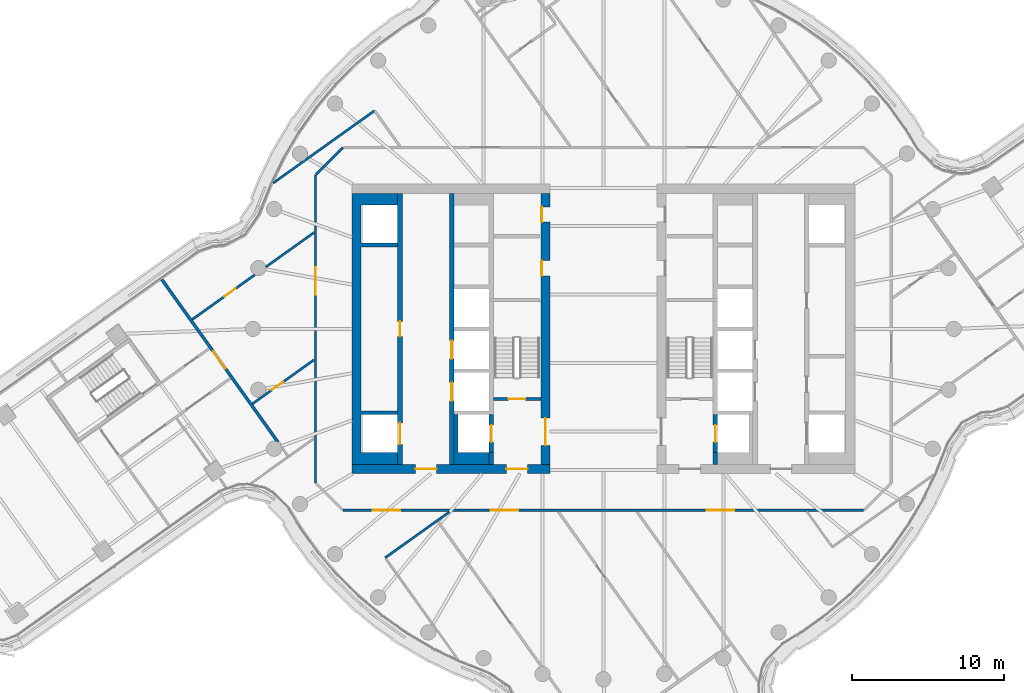
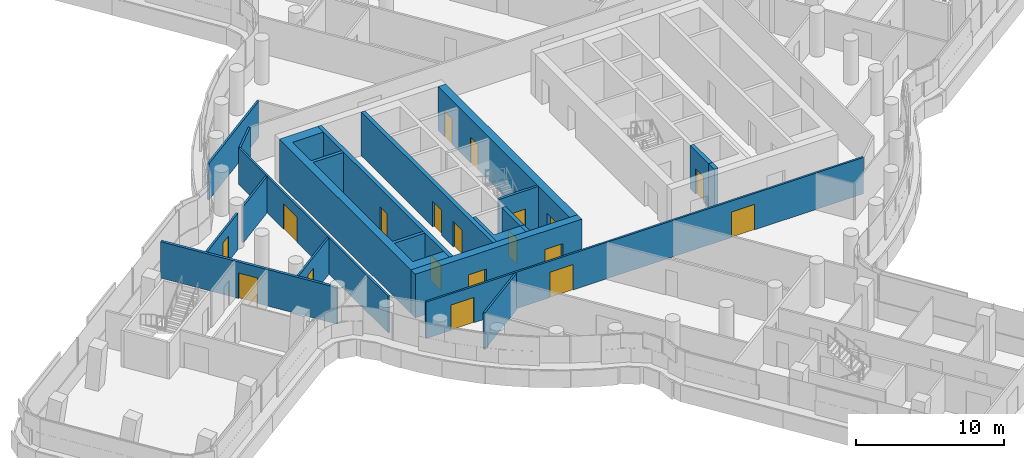
# One storey, part 20 of 31: 20 walls, 19 doors, 19 openings.
"""IFC4 building model written with IfcOpenShell, lengths in metres."""

from ifc_helpers import new_model, si_unit, direction, frame, frame_2d, origin, place, context, subcontext, project, spatial, polyline, rectangle, outline, extrude, material, layer, layer_set, type_object, element, fill, save


model = new_model("IFC4")

# Units and contexts
model_context = context("Model", 3, precision=1e-05, world=origin(), true_north=direction((0.0, 1.0)))
body_context = subcontext(model_context, "Body", "Model", "MODEL_VIEW")
ifc_project = project(units=[si_unit("LENGTHUNIT", "METRE"), si_unit("AREAUNIT", "SQUARE_METRE"), si_unit("VOLUMEUNIT", "CUBIC_METRE"), si_unit("PLANEANGLEUNIT", "RADIAN"), si_unit("MASSUNIT", "GRAM", prefix="KILO")], contexts=[model_context])

# Site, building, storey
site_placement = place(None, origin())
site = spatial("IfcSite", under=ifc_project, at=site_placement, CompositionType="ELEMENT")
building_placement = place(site_placement, origin())
building = spatial("IfcBuilding", under=site, at=building_placement, Name="Tamarind Cross Interchange Tower", CompositionType="ELEMENT")
storey_placement = place(building_placement, frame((0.0, 0.0, 163.0)))
storey = spatial("IfcBuildingStorey", under=building, at=storey_placement, Name="L40", CompositionType="ELEMENT", Elevation=163.0)

# Wall, openings, doors
ifc_material_1 = material(Name="Concrete C60", Category="concrete")
ifc_layer_1 = layer(ifc_material_1, 0.60009765625)
ifc_layer_set_1 = layer_set([ifc_layer_1], Name="Concrete C60")
wall_type_1 = type_object("IfcWallType", Name="Core wall 600 mm Concrete C60", PredefinedType="SHEAR", material=ifc_layer_set_1)
wall_1_placement = place(storey_placement, frame((-16.5, -9.199951171875, 0.0), z_axis=(0.0, 0.0, 1.0), x_axis=(1.0, 0.0, 0.0)))
wall_1 = element("IfcWall", 1, at=wall_1_placement, inside=storey, type_object=wall_type_1, Name="Core wall CWL-L40-W-S", PredefinedType="SHEAR", context=body_context, shape_type="SweptSolid", body=[
    extrude(rectangle(XDim=13.0, YDim=0.60009765625, at=frame_2d((6.5, 0.0))), origin(), (0.0, 0.0, 1.0), 3.610107421875),
])
opening_1_placement = place(wall_1_placement, frame((4.14990234375, 0.0, 0.0)))
opening_1 = element("IfcOpeningElement", 2, at=opening_1_placement, cuts=wall_1, Name="Opening DCW1", PredefinedType="OPENING", context=body_context, shape_type="SweptSolid", body=[
    extrude(rectangle(XDim=1.39990234375, YDim=2.10009765625, at=frame_2d((0.699951171875, 1.050048828125))), frame((0.0, 0.31005859375, 0.0), z_axis=(0.0, -1.0, 0.0), x_axis=(1.0, 0.0, 0.0)), (0.0, 0.0, 1.0), 0.6201171875),
])
opening_2_placement = place(wall_1_placement, frame((10.125, 0.0, 0.0)))
opening_2 = element("IfcOpeningElement", 3, at=opening_2_placement, cuts=wall_1, Name="Opening DCWF", PredefinedType="OPENING", context=body_context, shape_type="SweptSolid", body=[
    extrude(rectangle(XDim=1.39990234375, YDim=2.10009765625, at=frame_2d((0.699951171875, 1.050048828125))), frame((0.0, 0.31005859375, 0.0), z_axis=(0.0, -1.0, 0.0), x_axis=(1.0, 0.0, 0.0)), (0.0, 0.0, 1.0), 0.6201171875),
])
ifc_material_2 = material(Name="Steel, fire-resisting", Category="steel")
door_type_1 = type_object("IfcDoorType", Name="Core fire door 1400 x 2100 FD90", OperationType="SINGLE_SWING_LEFT", PredefinedType="DOOR", material=ifc_material_2)
door_1_placement = place(opening_1_placement, origin())
door_1 = element("IfcDoor", 4, at=door_1_placement, inside=storey, type_object=door_type_1, Name="L40 lift lobby door", OperationType="SINGLE_SWING_LEFT", OverallHeight=2.10009765625, OverallWidth=1.39990234375, PredefinedType="DOOR", context=body_context, shape_type="SweptSolid", body=[
    extrude(rectangle(XDim=1.39990234375, YDim=2.10009765625, at=frame_2d((0.699951171875, 1.050048828125))), frame((0.0, 0.02490234375, 0.0), z_axis=(0.0, -1.0, 0.0), x_axis=(1.0, 0.0, 0.0)), (0.0, 0.0, 1.0), 0.050048828125),
])
fill(opening_1, door_1)
door_2_placement = place(opening_2_placement, origin())
door_2 = element("IfcDoor", 5, at=door_2_placement, inside=storey, type_object=door_type_1, Name="L40 firefighting lobby end door", OperationType="SINGLE_SWING_LEFT", OverallHeight=2.10009765625, OverallWidth=1.39990234375, PredefinedType="DOOR", context=body_context, shape_type="SweptSolid", body=[
    extrude(rectangle(XDim=1.39990234375, YDim=2.10009765625, at=frame_2d((0.699951171875, 1.050048828125))), frame((0.0, 0.02490234375, 0.0), z_axis=(0.0, -1.0, 0.0), x_axis=(1.0, 0.0, 0.0)), (0.0, 0.0, 1.0), 0.050048828125),
])
fill(opening_2, door_2)

# Wall
wall_2_placement = place(storey_placement, origin())
element("IfcWall", 6, at=wall_2_placement, inside=storey, type_object=wall_type_1, Name="Core wall CWL-L40-W-A", PredefinedType="SHEAR", context=body_context, shape_type="SweptSolid", body=[
    extrude(outline(polyline([(-13.5, -8.125), (-15.89990234375, -8.125), (-15.89990234375, -5.625), (-13.5, -5.625), (-13.5, -5.375), (-15.89990234375, -5.375), (-15.89990234375, 5.375), (-13.5, 5.375), (-13.5, 5.625), (-15.89990234375, 5.625), (-15.89990234375, 8.125), (-13.5, 8.125), (-13.5, 8.89990234375), (-15.89990234375, 8.89990234375), (-16.5, 8.89990234375), (-16.5, -8.89990234375), (-15.89990234375, -8.89990234375), (-13.5, -8.89990234375), (-13.5, -8.125)])), origin(), (0.0, 0.0, 1.0), 3.610107421875),
])

# Wall, openings, doors
wall_3_placement = place(storey_placement, frame((-3.800048828125, -8.89990234375, 0.0), z_axis=(0.0, 0.0, 1.0), x_axis=(0.0, 1.0, 0.0)))
wall_3 = element("IfcWall", 7, at=wall_3_placement, inside=storey, type_object=wall_type_1, Name="Core wall CWL-L40-W-IN", PredefinedType="SHEAR", context=body_context, shape_type="SweptSolid", body=[
    extrude(rectangle(XDim=17.7998046875, YDim=0.60009765625, at=frame_2d((8.89990234375, 0.0))), origin(), (0.0, 0.0, 1.0), 3.610107421875),
])
opening_3_placement = place(wall_3_placement, frame((1.25, 0.0, 0.0)))
opening_3 = element("IfcOpeningElement", 8, at=opening_3_placement, cuts=wall_3, Name="Opening DCW4", PredefinedType="OPENING", context=body_context, shape_type="SweptSolid", body=[
    extrude(rectangle(XDim=1.800048828125, YDim=2.10009765625, at=frame_2d((0.89990234375, 1.050048828125))), frame((0.0, 0.31005859375, 0.0), z_axis=(0.0, -1.0, 0.0), x_axis=(1.0, 0.0, 0.0)), (0.0, 0.0, 1.0), 0.6201171875),
])
opening_4_placement = place(wall_3_placement, frame((12.37744140625, 0.0, 0.0)))
opening_4 = element("IfcOpeningElement", 9, at=opening_4_placement, cuts=wall_3, Name="Opening DCW5", PredefinedType="OPENING", context=body_context, shape_type="SweptSolid", body=[
    extrude(rectangle(XDim=1.0, YDim=2.10009765625, at=frame_2d((0.5, 1.050048828125))), frame((0.0, 0.31005859375, 0.0), z_axis=(0.0, -1.0, 0.0), x_axis=(1.0, 0.0, 0.0)), (0.0, 0.0, 1.0), 0.6201171875),
])
opening_5_placement = place(wall_3_placement, frame((15.902587890625, 0.0, 0.0)))
opening_5 = element("IfcOpeningElement", 10, at=opening_5_placement, cuts=wall_3, Name="Opening DCW5", PredefinedType="OPENING", context=body_context, shape_type="SweptSolid", body=[
    extrude(rectangle(XDim=1.0, YDim=2.10009765625, at=frame_2d((0.5, 1.050048828125))), frame((0.0, 0.31005859375, 0.0), z_axis=(0.0, -1.0, 0.0), x_axis=(1.0, 0.0, 0.0)), (0.0, 0.0, 1.0), 0.6201171875),
])
door_type_2 = type_object("IfcDoorType", Name="Core fire door 1000 x 2100 FD90", OperationType="SINGLE_SWING_LEFT", PredefinedType="DOOR", material=ifc_material_2)
door_3_placement = place(opening_4_placement, origin())
door_3 = element("IfcDoor", 11, at=door_3_placement, inside=storey, type_object=door_type_2, Name="L40 cleaner's store door", OperationType="SINGLE_SWING_LEFT", OverallHeight=2.10009765625, OverallWidth=1.0, PredefinedType="DOOR", context=body_context, shape_type="SweptSolid", body=[
    extrude(rectangle(XDim=1.0, YDim=2.10009765625, at=frame_2d((0.5, 1.050048828125))), frame((0.0, 0.27490234375, 0.0), z_axis=(0.0, -1.0, 0.0), x_axis=(1.0, 0.0, 0.0)), (0.0, 0.0, 1.0), 0.050048828125),
])
fill(opening_4, door_3)
door_4_placement = place(opening_5_placement, origin())
door_4 = element("IfcDoor", 12, at=door_4_placement, inside=storey, type_object=door_type_2, Name="L40 comms room door", OperationType="SINGLE_SWING_LEFT", OverallHeight=2.10009765625, OverallWidth=1.0, PredefinedType="DOOR", context=body_context, shape_type="SweptSolid", body=[
    extrude(rectangle(XDim=1.0, YDim=2.10009765625, at=frame_2d((0.5, 1.050048828125))), frame((0.0, 0.27490234375, 0.0), z_axis=(0.0, -1.0, 0.0), x_axis=(1.0, 0.0, 0.0)), (0.0, 0.0, 1.0), 0.050048828125),
])
fill(opening_5, door_4)
door_type_3 = type_object("IfcDoorType", Name="Core fire door 1800 x 2100 FD90", OperationType="SINGLE_SWING_LEFT", PredefinedType="DOOR", material=ifc_material_2)
door_5_placement = place(opening_3_placement, origin())
door_5 = element("IfcDoor", 13, at=door_5_placement, inside=storey, type_object=door_type_3, Name="L40 firefighting lobby door", OperationType="SINGLE_SWING_LEFT", OverallHeight=2.10009765625, OverallWidth=1.800048828125, PredefinedType="DOOR", context=body_context, shape_type="SweptSolid", body=[
    extrude(rectangle(XDim=1.800048828125, YDim=2.10009765625, at=frame_2d((0.89990234375, 1.050048828125))), frame((0.0, 0.02490234375, 0.0), z_axis=(0.0, -1.0, 0.0), x_axis=(1.0, 0.0, 0.0)), (0.0, 0.0, 1.0), 0.050048828125),
])
fill(opening_3, door_5)

# Walls
ifc_layer_2 = layer(ifc_material_1, 0.300048828125)
ifc_layer_set_2 = layer_set([ifc_layer_2], Name="Concrete C60")
wall_type_2 = type_object("IfcWallType", Name="Core web wall 300 mm Concrete C60", PredefinedType="SHEAR", material=ifc_layer_set_2)
wall_4_placement = place(storey_placement, origin())
element("IfcWall", 14, at=wall_4_placement, inside=storey, type_object=wall_type_2, Name="Core wall CWL-L40-W-BS", PredefinedType="SHEAR", context=body_context, shape_type="SweptSolid", body=[
    extrude(outline(polyline([(-7.5, -8.125), (-9.550048828125, -8.125), (-9.550048828125, -5.625), (-9.800048828125, -5.625), (-9.800048828125, -8.125), (-9.800048828125, -8.89990234375), (-7.5, -8.89990234375), (-7.5, -8.125)])), origin(), (0.0, 0.0, 1.0), 3.610107421875),
])
wall_5_placement = place(storey_placement, frame((-7.35009765625, -8.89990234375, 0.0), z_axis=(0.0, 0.0, 1.0), x_axis=(0.0, 1.0, 0.0)))
element("IfcWall", 15, at=wall_5_placement, inside=storey, type_object=wall_type_2, Name="Core wall CWL-L40-W-BW", PredefinedType="SHEAR", context=body_context, shape_type="SweptSolid", body=[
    extrude(rectangle(XDim=0.77490234375, YDim=0.300048828125, at=frame_2d((0.387451171875, 0.0))), origin(), (0.0, 0.0, 1.0), 3.610107421875),
])

# Wall, openings, doors
wall_6_placement = place(storey_placement, frame((-13.35009765625, -8.89990234375, 0.0), z_axis=(0.0, 0.0, 1.0), x_axis=(0.0, 1.0, 0.0)))
wall_6 = element("IfcWall", 16, at=wall_6_placement, inside=storey, type_object=wall_type_2, Name="Core wall CWL-L40-W-LA", PredefinedType="SHEAR", context=body_context, shape_type="SweptSolid", body=[
    extrude(rectangle(XDim=17.7998046875, YDim=0.300048828125, at=frame_2d((8.89990234375, 0.0))), origin(), (0.0, 0.0, 1.0), 3.610107421875),
])
opening_6_placement = place(wall_6_placement, frame((1.324951171875, 0.0, 0.0)))
opening_6 = element("IfcOpeningElement", 17, at=opening_6_placement, cuts=wall_6, Name="Opening LD1L40", PredefinedType="OPENING", context=body_context, shape_type="SweptSolid", body=[
    extrude(rectangle(XDim=1.39990234375, YDim=2.10009765625, at=frame_2d((0.699951171875, 1.050048828125))), frame((0.0, 0.159912109375, 0.0), z_axis=(0.0, -1.0, 0.0), x_axis=(1.0, 0.0, 0.0)), (0.0, 0.0, 1.0), 0.320068359375),
])
opening_7_placement = place(wall_6_placement, frame((8.39990234375, 0.0, 0.0)))
opening_7 = element("IfcOpeningElement", 18, at=opening_7_placement, cuts=wall_6, Name="Opening DCW9", PredefinedType="OPENING", context=body_context, shape_type="SweptSolid", body=[
    extrude(rectangle(XDim=1.0, YDim=2.10009765625, at=frame_2d((0.5, 1.050048828125))), frame((0.0, 0.159912109375, 0.0), z_axis=(0.0, -1.0, 0.0), x_axis=(1.0, 0.0, 0.0)), (0.0, 0.0, 1.0), 0.320068359375),
])
door_6_placement = place(opening_7_placement, origin())
door_6 = element("IfcDoor", 19, at=door_6_placement, inside=storey, type_object=door_type_2, Name="L40 Electrical room door", OperationType="SINGLE_SWING_LEFT", OverallHeight=2.10009765625, OverallWidth=1.0, PredefinedType="DOOR", context=body_context, shape_type="SweptSolid", body=[
    extrude(rectangle(XDim=1.0, YDim=2.10009765625, at=frame_2d((0.5, 1.050048828125))), frame((0.0, 0.02490234375, 0.0), z_axis=(0.0, -1.0, 0.0), x_axis=(1.0, 0.0, 0.0)), (0.0, 0.0, 1.0), 0.050048828125),
])
fill(opening_7, door_6)
ifc_material_3 = material(Name="Stainless steel panel", Category="steel")
door_type_4 = type_object("IfcDoorType", Name="Lift landing door 1400 x 2100 E 120", OperationType="SLIDING_TO_LEFT", PredefinedType="DOOR", material=ifc_material_3)
door_7_placement = place(opening_6_placement, origin())
door_7 = element("IfcDoor", 20, at=door_7_placement, inside=storey, type_object=door_type_4, Name="L40 landing door LF1", OperationType="SLIDING_TO_LEFT", OverallHeight=2.10009765625, OverallWidth=1.39990234375, PredefinedType="DOOR", context=body_context, shape_type="SweptSolid", body=[
    extrude(rectangle(XDim=1.39990234375, YDim=2.10009765625, at=frame_2d((0.699951171875, 1.050048828125))), frame((0.0, 0.02490234375, 0.0), z_axis=(0.0, -1.0, 0.0), x_axis=(1.0, 0.0, 0.0)), (0.0, 0.0, 1.0), 0.050048828125),
])
fill(opening_6, door_7)

wall_7_placement = place(storey_placement, frame((-9.949951171875, -8.89990234375, 0.0), z_axis=(0.0, 0.0, 1.0), x_axis=(0.0, 1.0, 0.0)))
wall_7 = element("IfcWall", 21, at=wall_7_placement, inside=storey, type_object=wall_type_2, Name="Core wall CWL-L40-W-LB", PredefinedType="SHEAR", context=body_context, shape_type="SweptSolid", body=[
    extrude(rectangle(XDim=17.7998046875, YDim=0.300048828125, at=frame_2d((8.89990234375, 0.0))), origin(), (0.0, 0.0, 1.0), 3.610107421875),
])
opening_8_placement = place(wall_7_placement, frame((4.175048828125, 0.0, 0.0)))
opening_8 = element("IfcOpeningElement", 22, at=opening_8_placement, cuts=wall_7, Name="Opening LD8L40", PredefinedType="OPENING", context=body_context, shape_type="SweptSolid", body=[
    extrude(rectangle(XDim=1.199951171875, YDim=2.10009765625, at=frame_2d((0.60009765625, 1.050048828125))), frame((0.0, 0.159912109375, 0.0), z_axis=(0.0, -1.0, 0.0), x_axis=(1.0, 0.0, 0.0)), (0.0, 0.0, 1.0), 0.320068359375),
])
opening_9_placement = place(wall_7_placement, frame((6.925048828125, 0.0, 0.0)))
opening_9 = element("IfcOpeningElement", 23, at=opening_9_placement, cuts=wall_7, Name="Opening LD9L40", PredefinedType="OPENING", context=body_context, shape_type="SweptSolid", body=[
    extrude(rectangle(XDim=1.199951171875, YDim=2.10009765625, at=frame_2d((0.60009765625, 1.050048828125))), frame((0.0, 0.159912109375, 0.0), z_axis=(0.0, -1.0, 0.0), x_axis=(1.0, 0.0, 0.0)), (0.0, 0.0, 1.0), 0.320068359375),
])
door_type_5 = type_object("IfcDoorType", Name="Lift landing door 1200 x 2100 E 120", OperationType="SLIDING_TO_LEFT", PredefinedType="DOOR", material=ifc_material_3)
door_8_placement = place(opening_8_placement, origin())
door_8 = element("IfcDoor", 24, at=door_8_placement, inside=storey, type_object=door_type_5, Name="L40 landing door LF8", OperationType="SLIDING_TO_LEFT", OverallHeight=2.10009765625, OverallWidth=1.199951171875, PredefinedType="DOOR", context=body_context, shape_type="SweptSolid", body=[
    extrude(rectangle(XDim=1.199951171875, YDim=2.10009765625, at=frame_2d((0.60009765625, 1.050048828125))), frame((0.0, 0.02490234375, 0.0), z_axis=(0.0, -1.0, 0.0), x_axis=(1.0, 0.0, 0.0)), (0.0, 0.0, 1.0), 0.050048828125),
])
fill(opening_8, door_8)
door_9_placement = place(opening_9_placement, origin())
door_9 = element("IfcDoor", 25, at=door_9_placement, inside=storey, type_object=door_type_5, Name="L40 landing door LF9", OperationType="SLIDING_TO_LEFT", OverallHeight=2.10009765625, OverallWidth=1.199951171875, PredefinedType="DOOR", context=body_context, shape_type="SweptSolid", body=[
    extrude(rectangle(XDim=1.199951171875, YDim=2.10009765625, at=frame_2d((0.60009765625, 1.050048828125))), frame((0.0, 0.02490234375, 0.0), z_axis=(0.0, -1.0, 0.0), x_axis=(1.0, 0.0, 0.0)), (0.0, 0.0, 1.0), 0.050048828125),
])
fill(opening_9, door_9)

# Wall, opening, door
wall_8_placement = place(storey_placement, frame((-7.35009765625, -8.125, 0.0), z_axis=(0.0, 0.0, 1.0), x_axis=(0.0, 1.0, 0.0)))
wall_8 = element("IfcWall", 26, at=wall_8_placement, inside=storey, type_object=wall_type_2, Name="Core wall CWL-L40-W-FF", PredefinedType="SHEAR", context=body_context, shape_type="SweptSolid", body=[
    extrude(rectangle(XDim=2.5, YDim=0.300048828125, at=frame_2d((1.25, 0.0))), origin(), (0.0, 0.0, 1.0), 3.610107421875),
])
opening_10_placement = place(wall_8_placement, frame((0.699951171875, 0.0, 0.0)))
opening_10 = element("IfcOpeningElement", 27, at=opening_10_placement, cuts=wall_8, Name="Opening LD7L40", PredefinedType="OPENING", context=body_context, shape_type="SweptSolid", body=[
    extrude(rectangle(XDim=1.10009765625, YDim=2.10009765625, at=frame_2d((0.550048828125, 1.050048828125))), frame((0.0, 0.159912109375, 0.0), z_axis=(0.0, -1.0, 0.0), x_axis=(1.0, 0.0, 0.0)), (0.0, 0.0, 1.0), 0.320068359375),
])
door_type_6 = type_object("IfcDoorType", Name="Lift landing door 1100 x 2100 E 120", OperationType="SLIDING_TO_LEFT", PredefinedType="DOOR", material=ifc_material_3)
door_10_placement = place(opening_10_placement, origin())
door_10 = element("IfcDoor", 28, at=door_10_placement, inside=storey, type_object=door_type_6, Name="L40 landing door LF7", OperationType="SLIDING_TO_LEFT", OverallHeight=2.10009765625, OverallWidth=1.10009765625, PredefinedType="DOOR", context=body_context, shape_type="SweptSolid", body=[
    extrude(rectangle(XDim=1.10009765625, YDim=2.10009765625, at=frame_2d((0.550048828125, 1.050048828125))), frame((0.0, 0.02490234375, 0.0), z_axis=(0.0, -1.0, 0.0), x_axis=(1.0, 0.0, 0.0)), (0.0, 0.0, 1.0), 0.050048828125),
])
fill(opening_10, door_10)

# Wall
wall_9_placement = place(storey_placement, frame((7.35009765625, -8.89990234375, 0.0), z_axis=(0.0, 0.0, 1.0), x_axis=(0.0, 1.0, 0.0)))
element("IfcWall", 29, at=wall_9_placement, inside=storey, type_object=wall_type_2, Name="Core wall CWL-L40-E-BW", PredefinedType="SHEAR", context=body_context, shape_type="SweptSolid", body=[
    extrude(rectangle(XDim=0.77490234375, YDim=0.300048828125, at=frame_2d((0.387451171875, 0.0))), origin(), (0.0, 0.0, 1.0), 3.610107421875),
])

# Wall, opening, door
wall_10_placement = place(storey_placement, frame((7.35009765625, -8.125, 0.0), z_axis=(0.0, 0.0, 1.0), x_axis=(0.0, 1.0, 0.0)))
wall_10 = element("IfcWall", 30, at=wall_10_placement, inside=storey, type_object=wall_type_2, Name="Core wall CWL-L40-E-FF", PredefinedType="SHEAR", context=body_context, shape_type="SweptSolid", body=[
    extrude(rectangle(XDim=2.5, YDim=0.300048828125, at=frame_2d((1.25, 0.0))), origin(), (0.0, 0.0, 1.0), 3.610107421875),
])
opening_11_placement = place(wall_10_placement, frame((0.699951171875, 0.0, 0.0)))
opening_11 = element("IfcOpeningElement", 31, at=opening_11_placement, cuts=wall_10, Name="Opening LD19L40", PredefinedType="OPENING", context=body_context, shape_type="SweptSolid", body=[
    extrude(rectangle(XDim=1.10009765625, YDim=2.10009765625, at=frame_2d((0.550048828125, 1.050048828125))), frame((0.0, 0.159912109375, 0.0), z_axis=(0.0, -1.0, 0.0), x_axis=(1.0, 0.0, 0.0)), (0.0, 0.0, 1.0), 0.320068359375),
])
door_11_placement = place(opening_11_placement, origin())
door_11 = element("IfcDoor", 32, at=door_11_placement, inside=storey, type_object=door_type_6, Name="L40 landing door LF19", OperationType="SLIDING_TO_LEFT", OverallHeight=2.10009765625, OverallWidth=1.10009765625, PredefinedType="DOOR", context=body_context, shape_type="SweptSolid", body=[
    extrude(rectangle(XDim=1.10009765625, YDim=2.10009765625, at=frame_2d((0.550048828125, 1.050048828125))), frame((0.0, 0.02490234375, 0.0), z_axis=(0.0, -1.0, 0.0), x_axis=(1.0, 0.0, 0.0)), (0.0, 0.0, 1.0), 0.050048828125),
])
fill(opening_11, door_11)

# Wall, openings, doors
ifc_material_4 = material(Name="Gypsum board partition on steel studs", Category="steel")
ifc_layer_3 = layer(ifc_material_4, 0.14990234375)
ifc_layer_set_3 = layer_set([ifc_layer_3], Name="Gypsum board partition on steel studs")
wall_type_3 = type_object("IfcWallType", Name="Partition 150 mm EI 120", PredefinedType="PARTITIONING", material=ifc_layer_set_3)
wall_11_placement = place(storey_placement, frame((-17.10009765625, -11.89990234375, 0.0), z_axis=(0.0, 0.0, 1.0), x_axis=(1.0, 0.0, 0.0)))
wall_11 = element("IfcWall", 33, at=wall_11_placement, inside=storey, type_object=wall_type_3, Name="Partition L40-036", PredefinedType="PARTITIONING", context=body_context, shape_type="SweptSolid", body=[
    extrude(rectangle(XDim=34.1650390625, YDim=0.14990234375, at=frame_2d((17.08251953125, 0.0))), origin(), (0.0, 0.0, 1.0), 3.010009765625),
])
opening_12_placement = place(wall_11_placement, frame((9.702880859375, 0.0, 0.0)))
opening_12 = element("IfcOpeningElement", 34, at=opening_12_placement, cuts=wall_11, Name="Opening D20", PredefinedType="OPENING", context=body_context, shape_type="SweptSolid", body=[
    extrude(rectangle(XDim=1.800048828125, YDim=2.10009765625, at=frame_2d((0.89990234375, 1.050048828125))), frame((0.0, 0.0849609375, 0.0), z_axis=(0.0, -1.0, 0.0), x_axis=(1.0, 0.0, 0.0)), (0.0, 0.0, 1.0), 0.169921875),
])
opening_13_placement = place(wall_11_placement, frame((1.949951171875, 0.0, 0.0)))
opening_13 = element("IfcOpeningElement", 35, at=opening_13_placement, cuts=wall_11, Name="Opening D21", PredefinedType="OPENING", context=body_context, shape_type="SweptSolid", body=[
    extrude(rectangle(XDim=1.800048828125, YDim=2.10009765625, at=frame_2d((0.89990234375, 1.050048828125))), frame((0.0, 0.0849609375, 0.0), z_axis=(0.0, -1.0, 0.0), x_axis=(1.0, 0.0, 0.0)), (0.0, 0.0, 1.0), 0.169921875),
])
opening_14_placement = place(wall_11_placement, frame((23.8779296875, 0.0, 0.0)))
opening_14 = element("IfcOpeningElement", 36, at=opening_14_placement, cuts=wall_11, Name="Opening D22", PredefinedType="OPENING", context=body_context, shape_type="SweptSolid", body=[
    extrude(rectangle(XDim=1.800048828125, YDim=2.10009765625, at=frame_2d((0.89990234375, 1.050048828125))), frame((0.0, 0.0849609375, 0.0), z_axis=(0.0, -1.0, 0.0), x_axis=(1.0, 0.0, 0.0)), (0.0, 0.0, 1.0), 0.169921875),
])
ifc_material_5 = material(Name="Fire-resisting door set")
door_type_7 = type_object("IfcDoorType", Name="Interior door 1800 x 2100 FD60S", OperationType="DOUBLE_DOOR_SINGLE_SWING", PredefinedType="DOOR", material=ifc_material_5)
door_12_placement = place(opening_12_placement, origin())
door_12 = element("IfcDoor", 37, at=door_12_placement, inside=storey, type_object=door_type_7, Name="Door D20", OperationType="DOUBLE_DOOR_SINGLE_SWING", OverallHeight=2.10009765625, OverallWidth=1.800048828125, PredefinedType="DOOR", context=body_context, shape_type="SweptSolid", body=[
    extrude(rectangle(XDim=1.800048828125, YDim=2.10009765625, at=frame_2d((0.89990234375, 1.050048828125))), frame((0.0, 0.02490234375, 0.0), z_axis=(0.0, -1.0, 0.0), x_axis=(1.0, 0.0, 0.0)), (0.0, 0.0, 1.0), 0.050048828125),
])
fill(opening_12, door_12)
door_13_placement = place(opening_13_placement, frame((1.800048828125, 0.0, 0.0), z_axis=(0.0, 0.0, 1.0), x_axis=(-1.0, 0.0, 0.0)))
door_13 = element("IfcDoor", 38, at=door_13_placement, inside=storey, type_object=door_type_7, Name="Door D21", OperationType="DOUBLE_DOOR_SINGLE_SWING", OverallHeight=2.10009765625, OverallWidth=1.800048828125, PredefinedType="DOOR", context=body_context, shape_type="SweptSolid", body=[
    extrude(rectangle(XDim=1.800048828125, YDim=2.10009765625, at=frame_2d((0.89990234375, 1.050048828125))), frame((0.0, 0.02490234375, 0.0), z_axis=(0.0, -1.0, 0.0), x_axis=(1.0, 0.0, 0.0)), (0.0, 0.0, 1.0), 0.050048828125),
])
fill(opening_13, door_13)
door_14_placement = place(opening_14_placement, frame((1.800048828125, 0.0, 0.0), z_axis=(0.0, 0.0, 1.0), x_axis=(-1.0, 0.0, 0.0)))
door_14 = element("IfcDoor", 39, at=door_14_placement, inside=storey, type_object=door_type_7, Name="Door D22", OperationType="DOUBLE_DOOR_SINGLE_SWING", OverallHeight=2.10009765625, OverallWidth=1.800048828125, PredefinedType="DOOR", context=body_context, shape_type="SweptSolid", body=[
    extrude(rectangle(XDim=1.800048828125, YDim=2.10009765625, at=frame_2d((0.89990234375, 1.050048828125))), frame((0.0, 0.02490234375, 0.0), z_axis=(0.0, -1.0, 0.0), x_axis=(1.0, 0.0, 0.0)), (0.0, 0.0, 1.0), 0.050048828125),
])
fill(opening_14, door_14)

# Wall
wall_12_placement = place(storey_placement, frame((-14.32177734375, -15.01953125, 0.0), z_axis=(0.0, 0.0, 1.0), x_axis=(0.81419877711, 0.580586213541, 0.0)))
element("IfcWall", 40, at=wall_12_placement, inside=storey, type_object=wall_type_3, Name="Partition L40-038", PredefinedType="PARTITIONING", context=body_context, shape_type="SweptSolid", body=[
    extrude(rectangle(XDim=5.173095703125, YDim=0.14990234375, at=frame_2d((2.58642578125, 0.0))), origin(), (0.0, 0.0, 1.0), 3.010009765625),
])

# Wall, opening, door
wall_13_placement = place(storey_placement, frame((-26.986572265625, 0.6171875, 0.0), z_axis=(0.0, 0.0, 1.0), x_axis=(0.81386107039, 0.581059513392, 0.0)))
wall_13 = element("IfcWall", 41, at=wall_13_placement, inside=storey, type_object=wall_type_3, Name="Partition L40-044", PredefinedType="PARTITIONING", context=body_context, shape_type="SweptSolid", body=[
    extrude(rectangle(XDim=5.041015625, YDim=0.14990234375, at=frame_2d((2.5205078125, 0.0))), origin(), (0.0, 0.0, 1.0), 3.010009765625),
])
opening_15_placement = place(wall_13_placement, frame((2.60009765625, 0.0, 0.0)))
opening_15 = element("IfcOpeningElement", 42, at=opening_15_placement, cuts=wall_13, Name="Opening D29", PredefinedType="OPENING", context=body_context, shape_type="SweptSolid", body=[
    extrude(rectangle(XDim=0.89990234375, YDim=2.10009765625, at=frame_2d((0.449951171875, 1.050048828125))), frame((0.0, 0.0849609375, 0.0), z_axis=(0.0, -1.0, 0.0), x_axis=(1.0, 0.0, 0.0)), (0.0, 0.0, 1.0), 0.169921875),
])
door_type_8 = type_object("IfcDoorType", Name="Interior door 900 x 2100 FD60S", OperationType="SINGLE_SWING_LEFT", PredefinedType="DOOR", material=ifc_material_5)
door_15_placement = place(opening_15_placement, origin())
door_15 = element("IfcDoor", 43, at=door_15_placement, inside=storey, type_object=door_type_8, Name="Door D29", OperationType="SINGLE_SWING_LEFT", OverallHeight=2.10009765625, OverallWidth=0.89990234375, PredefinedType="DOOR", context=body_context, shape_type="SweptSolid", body=[
    extrude(rectangle(XDim=0.89990234375, YDim=2.10009765625, at=frame_2d((0.449951171875, 1.050048828125))), frame((0.0, 0.02490234375, 0.0), z_axis=(0.0, -1.0, 0.0), x_axis=(1.0, 0.0, 0.0)), (0.0, 0.0, 1.0), 0.050048828125),
])
fill(opening_15, door_15)

# Wall
wall_14_placement = place(storey_placement, frame((-22.1591796875, 4.063720703125, 0.0), z_axis=(0.0, 0.0, 1.0), x_axis=(0.813818497272, 0.581119138816, 0.0)))
element("IfcWall", 44, at=wall_14_placement, inside=storey, type_object=wall_type_3, Name="Partition L40-045", PredefinedType="PARTITIONING", context=body_context, shape_type="SweptSolid", body=[
    extrude(rectangle(XDim=3.8798828125, YDim=0.14990234375, at=frame_2d((1.93994140625, 0.0))), origin(), (0.0, 0.0, 1.0), 3.010009765625),
])

# Wall, opening, door
wall_15_placement = place(storey_placement, frame((-23.03564453125, -4.9169921875, 0.0), z_axis=(0.0, 0.0, 1.0), x_axis=(0.813829971932, 0.581103068986, 0.0)))
wall_15 = element("IfcWall", 45, at=wall_15_placement, inside=storey, type_object=wall_type_3, Name="Partition L40-046", PredefinedType="PARTITIONING", context=body_context, shape_type="SweptSolid", body=[
    extrude(rectangle(XDim=4.956787109375, YDim=0.14990234375, at=frame_2d((2.478515625, 0.0))), origin(), (0.0, 0.0, 1.0), 3.010009765625),
])
opening_16_placement = place(wall_15_placement, frame((1.550048828125, 0.0, 0.0)))
opening_16 = element("IfcOpeningElement", 46, at=opening_16_placement, cuts=wall_15, Name="Opening D30", PredefinedType="OPENING", context=body_context, shape_type="SweptSolid", body=[
    extrude(rectangle(XDim=0.89990234375, YDim=2.10009765625, at=frame_2d((0.449951171875, 1.050048828125))), frame((0.0, 0.0849609375, 0.0), z_axis=(0.0, -1.0, 0.0), x_axis=(1.0, 0.0, 0.0)), (0.0, 0.0, 1.0), 0.169921875),
])
door_16_placement = place(opening_16_placement, frame((0.89990234375, 0.0, 0.0), z_axis=(0.0, 0.0, 1.0), x_axis=(-1.0, 0.0, 0.0)))
door_16 = element("IfcDoor", 47, at=door_16_placement, inside=storey, type_object=door_type_8, Name="Door D30", OperationType="SINGLE_SWING_LEFT", OverallHeight=2.10009765625, OverallWidth=0.89990234375, PredefinedType="DOOR", context=body_context, shape_type="SweptSolid", body=[
    extrude(rectangle(XDim=0.89990234375, YDim=2.10009765625, at=frame_2d((0.449951171875, 1.050048828125))), frame((0.0, 0.02490234375, 0.0), z_axis=(0.0, -1.0, 0.0), x_axis=(1.0, 0.0, 0.0)), (0.0, 0.0, 1.0), 0.050048828125),
])
fill(opening_16, door_16)

# Walls
wall_16_placement = place(storey_placement, frame((-21.667236328125, 9.575439453125, 0.0), z_axis=(0.0, 0.0, 1.0), x_axis=(0.813848610714, 0.581076964643, 0.0)))
element("IfcWall", 48, at=wall_16_placement, inside=storey, type_object=wall_type_3, Name="Partition L40-048", PredefinedType="PARTITIONING", context=body_context, shape_type="SweptSolid", body=[
    extrude(rectangle(XDim=8.165283203125, YDim=0.14990234375, at=frame_2d((4.08251953125, 0.0))), origin(), (0.0, 0.0, 1.0), 3.010009765625),
])
wall_17_placement = place(storey_placement, frame((-18.87158203125, 10.12841796875, 0.0), z_axis=(0.0, 0.0, 1.0), x_axis=(0.707106781187, 0.707106781187, 0.0)))
element("IfcWall", 49, at=wall_17_placement, inside=storey, type_object=wall_type_3, Name="Partition L40-075", PredefinedType="PARTITIONING", context=body_context, shape_type="SweptSolid", body=[
    extrude(rectangle(XDim=2.50537109375, YDim=0.14990234375, at=frame_2d((1.252685546875, 0.0))), origin(), (0.0, 0.0, 1.0), 3.010009765625),
])

# Wall, opening, door
wall_18_placement = place(storey_placement, frame((-18.89990234375, -10.10009765625, 0.0), z_axis=(0.0, 0.0, 1.0), x_axis=(0.0, 1.0, 0.0)))
wall_18 = element("IfcWall", 50, at=wall_18_placement, inside=storey, type_object=wall_type_3, Name="Partition L40-077", PredefinedType="PARTITIONING", context=body_context, shape_type="SweptSolid", body=[
    extrude(rectangle(XDim=20.2001953125, YDim=0.14990234375, at=frame_2d((10.10009765625, 0.0))), origin(), (0.0, 0.0, 1.0), 3.010009765625),
])
opening_17_placement = place(wall_18_placement, frame((12.3359375, 0.0, 0.0)))
opening_17 = element("IfcOpeningElement", 51, at=opening_17_placement, cuts=wall_18, Name="Opening D42", PredefinedType="OPENING", context=body_context, shape_type="SweptSolid", body=[
    extrude(rectangle(XDim=1.800048828125, YDim=2.10009765625, at=frame_2d((0.89990234375, 1.050048828125))), frame((0.0, 0.0849609375, 0.0), z_axis=(0.0, -1.0, 0.0), x_axis=(1.0, 0.0, 0.0)), (0.0, 0.0, 1.0), 0.169921875),
])
door_17_placement = place(opening_17_placement, frame((1.800048828125, 0.0, 0.0), z_axis=(0.0, 0.0, 1.0), x_axis=(-1.0, 0.0, 0.0)))
door_17 = element("IfcDoor", 52, at=door_17_placement, inside=storey, type_object=door_type_7, Name="Door D42", OperationType="DOUBLE_DOOR_SINGLE_SWING", OverallHeight=2.10009765625, OverallWidth=1.800048828125, PredefinedType="DOOR", context=body_context, shape_type="SweptSolid", body=[
    extrude(rectangle(XDim=1.800048828125, YDim=2.10009765625, at=frame_2d((0.89990234375, 1.050048828125))), frame((0.0, 0.02490234375, 0.0), z_axis=(0.0, -1.0, 0.0), x_axis=(1.0, 0.0, 0.0)), (0.0, 0.0, 1.0), 0.050048828125),
])
fill(opening_17, door_17)

ifc_layer_4 = layer(ifc_material_4, 0.199951171875)
ifc_layer_set_4 = layer_set([ifc_layer_4], Name="Gypsum board partition on steel studs")
wall_type_4 = type_object("IfcWallType", Name="Partition 200 mm EI 180", PredefinedType="PARTITIONING", material=ifc_layer_set_4)
wall_19_placement = place(storey_placement, frame((-28.9853515625, 3.244140625, 0.0), z_axis=(0.0, 0.0, 1.0), x_axis=(0.581102498489, -0.813830379287, 0.0)))
wall_19 = element("IfcWall", 53, at=wall_19_placement, inside=storey, type_object=wall_type_4, Name="Partition L40-003", PredefinedType="PARTITIONING", context=body_context, shape_type="SweptSolid", body=[
    extrude(rectangle(XDim=13.105712890625, YDim=0.199951171875, at=frame_2d((6.552734375, 0.0))), origin(), (0.0, 0.0, 1.0), 3.010009765625),
])
opening_18_placement = place(wall_19_placement, frame((5.798828125, 0.0, 0.0)))
opening_18 = element("IfcOpeningElement", 54, at=opening_18_placement, cuts=wall_19, Name="Opening D02", PredefinedType="OPENING", context=body_context, shape_type="SweptSolid", body=[
    extrude(rectangle(XDim=1.39990234375, YDim=2.10009765625, at=frame_2d((0.699951171875, 1.050048828125))), frame((0.0, 0.10986328125, 0.0), z_axis=(0.0, -1.0, 0.0), x_axis=(1.0, 0.0, 0.0)), (0.0, 0.0, 1.0), 0.219970703125),
])
door_type_9 = type_object("IfcDoorType", Name="Interior door 1400 x 2100 FD120S", OperationType="DOUBLE_DOOR_SINGLE_SWING", PredefinedType="DOOR", material=ifc_material_5)
door_18_placement = place(opening_18_placement, origin())
door_18 = element("IfcDoor", 55, at=door_18_placement, inside=storey, type_object=door_type_9, Name="Door D02", OperationType="DOUBLE_DOOR_SINGLE_SWING", OverallHeight=2.10009765625, OverallWidth=1.39990234375, PredefinedType="DOOR", context=body_context, shape_type="SweptSolid", body=[
    extrude(rectangle(XDim=1.39990234375, YDim=2.10009765625, at=frame_2d((0.699951171875, 1.050048828125))), frame((0.0, 0.02490234375, 0.0), z_axis=(0.0, -1.0, 0.0), x_axis=(1.0, 0.0, 0.0)), (0.0, 0.0, 1.0), 0.050048828125),
])
fill(opening_18, door_18)

ifc_material_6 = material(Name="Concrete C40", Category="concrete")
ifc_layer_5 = layer(ifc_material_6, 0.199951171875)
ifc_layer_set_5 = layer_set([ifc_layer_5], Name="Concrete C40")
wall_type_5 = type_object("IfcWallType", Name="Stair shaft wall 200 mm Concrete C40", PredefinedType="SHEAR", material=ifc_layer_set_5)
wall_20_placement = place(storey_placement, frame((-7.199951171875, -4.60009765625, 0.0), z_axis=(0.0, 0.0, 1.0), x_axis=(1.0, 0.0, 0.0)))
wall_20 = element("IfcWall", 56, at=wall_20_placement, inside=storey, type_object=wall_type_5, Name="Core wall CWL-L40-W-SD", PredefinedType="SHEAR", context=body_context, shape_type="SweptSolid", body=[
    extrude(rectangle(XDim=3.099853515625, YDim=0.199951171875, at=frame_2d((1.5498046875, 0.0))), origin(), (0.0, 0.0, 1.0), 3.610107421875),
])
opening_19_placement = place(wall_20_placement, frame((0.97509765625, 0.0, 0.0)))
opening_19 = element("IfcOpeningElement", 57, at=opening_19_placement, cuts=wall_20, Name="Opening DCW6", PredefinedType="OPENING", context=body_context, shape_type="SweptSolid", body=[
    extrude(rectangle(XDim=1.10009765625, YDim=2.10009765625, at=frame_2d((0.550048828125, 1.050048828125))), frame((0.0, 0.10986328125, 0.0), z_axis=(0.0, -1.0, 0.0), x_axis=(1.0, 0.0, 0.0)), (0.0, 0.0, 1.0), 0.219970703125),
])
door_type_10 = type_object("IfcDoorType", Name="Core fire door 1100 x 2100 FD90", OperationType="SINGLE_SWING_LEFT", PredefinedType="DOOR", material=ifc_material_2)
door_19_placement = place(opening_19_placement, origin())
door_19 = element("IfcDoor", 58, at=door_19_placement, inside=storey, type_object=door_type_10, Name="L40 stair door", OperationType="SINGLE_SWING_LEFT", OverallHeight=2.10009765625, OverallWidth=1.10009765625, PredefinedType="DOOR", context=body_context, shape_type="SweptSolid", body=[
    extrude(rectangle(XDim=1.10009765625, YDim=2.10009765625, at=frame_2d((0.550048828125, 1.050048828125))), frame((0.0, 0.02490234375, 0.0), z_axis=(0.0, -1.0, 0.0), x_axis=(1.0, 0.0, 0.0)), (0.0, 0.0, 1.0), 0.050048828125),
])
fill(opening_19, door_19)

save(model, "model.ifc")
